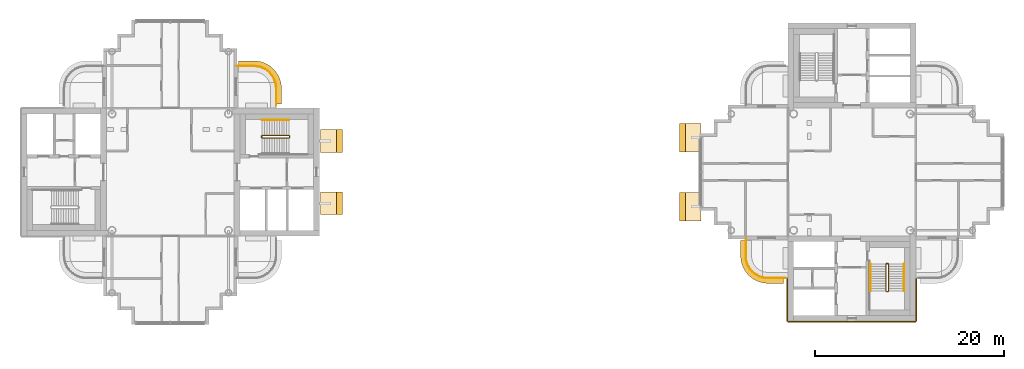
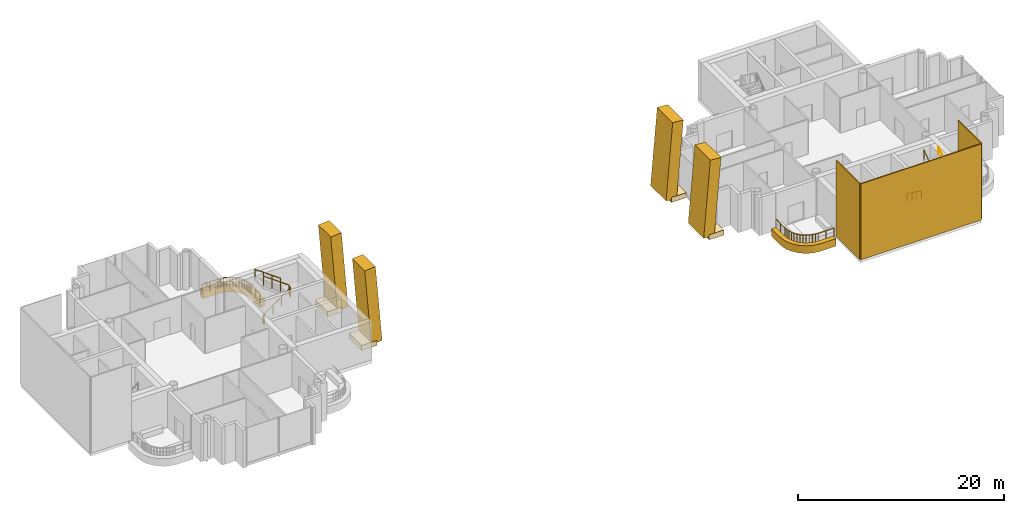
# One storey, part 17 of 19: 13 coverings, 7 railings.
"""IFC4 building model written with IfcOpenShell, lengths in metres."""

from ifc_helpers import new_model, si_unit, direction, frame, origin, origin_2d, place, context, subcontext, project, spatial, polyline, rectangle, circle, outline, extrude, material, layer, layer_set, material_profile, profile_set, type_object, element, save


model = new_model("IFC4")

# Units and contexts
model_context = context("Model", 3, precision=1e-05, world=origin(), true_north=direction((0.0, 1.0)))
body_context = subcontext(model_context, "Body", "Model", "MODEL_VIEW")
ifc_project = project(units=[si_unit("LENGTHUNIT", "METRE"), si_unit("AREAUNIT", "SQUARE_METRE"), si_unit("VOLUMEUNIT", "CUBIC_METRE"), si_unit("PLANEANGLEUNIT", "RADIAN"), si_unit("MASSUNIT", "GRAM", prefix="KILO")], contexts=[model_context])

# Site, building, storey
site_placement = place(None, origin())
site = spatial("IfcSite", under=ifc_project, at=site_placement, CompositionType="ELEMENT")
building_placement = place(site_placement, origin())
building = spatial("IfcBuilding", under=site, at=building_placement, Name="Ipe Terrace Towers", CompositionType="ELEMENT")
storey_placement = place(building_placement, frame((0.0, 0.0, 237.89990234375)))
storey = spatial("IfcBuildingStorey", under=building, at=storey_placement, Name="L66", CompositionType="ELEMENT", Elevation=237.89990234375)

# Railings
ifc_material_1 = material(Name="Stainless steel S316", Category="steel")
railing_type_1 = type_object("IfcRailingType", Name="GUARD 1100", PredefinedType="BALUSTRADE", material=ifc_material_1)
railing_1_placement = place(storey_placement, frame((-24.800048828125, 7.070068359375, -0.02001953125)))
element("IfcRailing", 1, at=railing_1_placement, inside=storey, type_object=railing_type_1, Name="guard", PredefinedType="BALUSTRADE", context=body_context, shape_type="SweptSolid", body=[
    extrude(circle(Radius=0.02392578125, at=origin_2d()), frame((0.0, 0.0, 1.076171875), z_axis=(0.0, 1.0, 0.0), x_axis=(-1.0, 0.0, 0.0)), (0.0, 0.0, 1.0), 1.77783203125),
    extrude(circle(Radius=0.02392578125, at=origin_2d()), frame((0.0, 1.77783203125, 1.076171875), z_axis=(-0.064635492184, 0.99790894031, 0.0), x_axis=(-0.99790894031, -0.064635492184, 0.0)), (0.0, 0.0, 1.0), 0.309814453125),
    extrude(circle(Radius=0.02392578125, at=origin_2d()), frame((-0.02001953125, 2.0869140625, 1.076171875), z_axis=(-0.194892169718, 0.980824674538, 0.0), x_axis=(-0.980824674538, -0.194892169718, 0.0)), (0.0, 0.0, 1.0), 0.306884765625),
    extrude(circle(Radius=0.02392578125, at=origin_2d()), frame((-0.079833984375, 2.387939453125, 1.076171875), z_axis=(-0.322415209212, 0.946598348228, 0.0), x_axis=(-0.946598348228, -0.322415209212, 0.0)), (0.0, 0.0, 1.0), 0.307373046875),
    extrude(circle(Radius=0.02392578125, at=origin_2d()), frame((-0.178955078125, 2.678955078125, 1.076171875), z_axis=(-0.44212629539, 0.896952807524, 0.0), x_axis=(-0.896952807524, -0.44212629539, 0.0)), (0.0, 0.0, 1.0), 0.3076171875),
    extrude(circle(Radius=0.02392578125, at=origin_2d()), frame((-0.31494140625, 2.954833984375, 1.076171875), z_axis=(-0.555066120228, 0.831806228742, 0.0), x_axis=(-0.831806228742, -0.555066120228, 0.0)), (0.0, 0.0, 1.0), 0.307861328125),
    extrude(circle(Radius=0.02392578125, at=origin_2d()), frame((-0.48583984375, 3.2109375, 1.076171875), z_axis=(-0.658617227954, 0.752478137252, 0.0), x_axis=(-0.752478137252, -0.658617227954, 0.0)), (0.0, 0.0, 1.0), 0.306884765625),
    extrude(circle(Radius=0.02392578125, at=origin_2d()), frame((-0.68798828125, 3.44189453125, 1.076171875), z_axis=(-0.752478137252, 0.658617227954, 0.0), x_axis=(-0.658617227954, -0.752478137252, 0.0)), (0.0, 0.0, 1.0), 0.306884765625),
    extrude(circle(Radius=0.02392578125, at=origin_2d()), frame((-0.9189453125, 3.64404296875, 1.076171875), z_axis=(-0.831806228742, 0.555066120228, 0.0), x_axis=(-0.555066120228, -0.831806228742, 0.0)), (0.0, 0.0, 1.0), 0.307861328125),
    extrude(circle(Radius=0.02392578125, at=origin_2d()), frame((-1.175048828125, 3.81494140625, 1.076171875), z_axis=(-0.896952807524, 0.44212629539, 0.0), x_axis=(-0.44212629539, -0.896952807524, 0.0)), (0.0, 0.0, 1.0), 0.3076171875),
    extrude(circle(Radius=0.02392578125, at=origin_2d()), frame((-1.450927734375, 3.950927734375, 1.076171875), z_axis=(-0.946598348228, 0.322415209212, 0.0), x_axis=(-0.322415209212, -0.946598348228, 0.0)), (0.0, 0.0, 1.0), 0.307373046875),
    extrude(circle(Radius=0.02392578125, at=origin_2d()), frame((-1.741943359375, 4.050048828125, 1.076171875), z_axis=(-0.980824674538, 0.194892169718, 0.0), x_axis=(-0.194892169718, -0.980824674538, 0.0)), (0.0, 0.0, 1.0), 0.306884765625),
    extrude(circle(Radius=0.02392578125, at=origin_2d()), frame((-2.04296875, 4.10986328125, 1.076171875), z_axis=(-0.99790894031, 0.064635492184, 0.0), x_axis=(-0.064635492184, -0.99790894031, 0.0)), (0.0, 0.0, 1.0), 0.309814453125),
    extrude(circle(Radius=0.02392578125, at=origin_2d()), frame((-2.35205078125, 4.1298828125, 1.076171875), z_axis=(-1.0, 0.0, 0.0), x_axis=(0.0, -1.0, 0.0)), (0.0, 0.0, 1.0), 1.77783203125),
    extrude(circle(Radius=0.02099609375, at=origin_2d()), origin(), (0.0, 0.0, 1.0), 1.052001953125),
    extrude(circle(Radius=0.02099609375, at=origin_2d()), frame((0.0, 0.888916015625, 0.0)), (0.0, 0.0, 1.0), 1.052001953125),
    extrude(circle(Radius=0.02099609375, at=origin_2d()), frame((0.0, 1.77783203125, 0.0)), (0.0, 0.0, 1.0), 1.052001953125),
    extrude(circle(Radius=0.02099609375, at=origin_2d()), frame((-0.02001953125, 2.0869140625, 0.0)), (0.0, 0.0, 1.0), 1.052001953125),
    extrude(circle(Radius=0.02099609375, at=origin_2d()), frame((-0.079833984375, 2.387939453125, 0.0)), (0.0, 0.0, 1.0), 1.052001953125),
    extrude(circle(Radius=0.02099609375, at=origin_2d()), frame((-0.178955078125, 2.678955078125, 0.0)), (0.0, 0.0, 1.0), 1.052001953125),
    extrude(circle(Radius=0.02099609375, at=origin_2d()), frame((-0.31494140625, 2.954833984375, 0.0)), (0.0, 0.0, 1.0), 1.052001953125),
    extrude(circle(Radius=0.02099609375, at=origin_2d()), frame((-0.48583984375, 3.2109375, 0.0)), (0.0, 0.0, 1.0), 1.052001953125),
    extrude(circle(Radius=0.02099609375, at=origin_2d()), frame((-0.68798828125, 3.44189453125, 0.0)), (0.0, 0.0, 1.0), 1.052001953125),
    extrude(circle(Radius=0.02099609375, at=origin_2d()), frame((-0.9189453125, 3.64404296875, 0.0)), (0.0, 0.0, 1.0), 1.052001953125),
    extrude(circle(Radius=0.02099609375, at=origin_2d()), frame((-1.175048828125, 3.81494140625, 0.0)), (0.0, 0.0, 1.0), 1.052001953125),
    extrude(circle(Radius=0.02099609375, at=origin_2d()), frame((-1.450927734375, 3.950927734375, 0.0)), (0.0, 0.0, 1.0), 1.052001953125),
    extrude(circle(Radius=0.02099609375, at=origin_2d()), frame((-1.741943359375, 4.050048828125, 0.0)), (0.0, 0.0, 1.0), 1.052001953125),
    extrude(circle(Radius=0.02099609375, at=origin_2d()), frame((-2.04296875, 4.10986328125, 0.0)), (0.0, 0.0, 1.0), 1.052001953125),
    extrude(circle(Radius=0.02099609375, at=origin_2d()), frame((-2.35205078125, 4.1298828125, 0.0)), (0.0, 0.0, 1.0), 1.052001953125),
    extrude(circle(Radius=0.02099609375, at=origin_2d()), frame((-3.240966796875, 4.1298828125, 0.0)), (0.0, 0.0, 1.0), 1.052001953125),
    extrude(circle(Radius=0.02099609375, at=origin_2d()), frame((-4.1298828125, 4.1298828125, 0.0)), (0.0, 0.0, 1.0), 1.052001953125),
])
railing_2_placement = place(storey_placement, frame((24.800048828125, -7.070068359375, -0.02001953125)))
element("IfcRailing", 2, at=railing_2_placement, inside=storey, type_object=railing_type_1, Name="guard", PredefinedType="BALUSTRADE", context=body_context, shape_type="SweptSolid", body=[
    extrude(circle(Radius=0.02392578125, at=origin_2d()), frame((0.0, 0.0, 1.076171875), z_axis=(0.0, -1.0, 0.0), x_axis=(1.0, 0.0, 0.0)), (0.0, 0.0, 1.0), 1.77783203125),
    extrude(circle(Radius=0.02392578125, at=origin_2d()), frame((0.0, -1.77783203125, 1.076171875), z_axis=(0.064635492184, -0.99790894031, 0.0), x_axis=(0.99790894031, 0.064635492184, 0.0)), (0.0, 0.0, 1.0), 0.309814453125),
    extrude(circle(Radius=0.02392578125, at=origin_2d()), frame((0.02001953125, -2.0869140625, 1.076171875), z_axis=(0.194892169718, -0.980824674538, 0.0), x_axis=(0.980824674538, 0.194892169718, 0.0)), (0.0, 0.0, 1.0), 0.306884765625),
    extrude(circle(Radius=0.02392578125, at=origin_2d()), frame((0.079833984375, -2.387939453125, 1.076171875), z_axis=(0.322415209212, -0.946598348228, 0.0), x_axis=(0.946598348228, 0.322415209212, 0.0)), (0.0, 0.0, 1.0), 0.307373046875),
    extrude(circle(Radius=0.02392578125, at=origin_2d()), frame((0.178955078125, -2.678955078125, 1.076171875), z_axis=(0.44212629539, -0.896952807524, 0.0), x_axis=(0.896952807524, 0.44212629539, 0.0)), (0.0, 0.0, 1.0), 0.3076171875),
    extrude(circle(Radius=0.02392578125, at=origin_2d()), frame((0.31494140625, -2.954833984375, 1.076171875), z_axis=(0.555066120228, -0.831806228742, 0.0), x_axis=(0.831806228742, 0.555066120228, 0.0)), (0.0, 0.0, 1.0), 0.307861328125),
    extrude(circle(Radius=0.02392578125, at=origin_2d()), frame((0.48583984375, -3.2109375, 1.076171875), z_axis=(0.658617227954, -0.752478137252, 0.0), x_axis=(0.752478137252, 0.658617227954, 0.0)), (0.0, 0.0, 1.0), 0.306884765625),
    extrude(circle(Radius=0.02392578125, at=origin_2d()), frame((0.68798828125, -3.44189453125, 1.076171875), z_axis=(0.752478137252, -0.658617227954, 0.0), x_axis=(0.658617227954, 0.752478137252, 0.0)), (0.0, 0.0, 1.0), 0.306884765625),
    extrude(circle(Radius=0.02392578125, at=origin_2d()), frame((0.9189453125, -3.64404296875, 1.076171875), z_axis=(0.831806228742, -0.555066120228, 0.0), x_axis=(0.555066120228, 0.831806228742, 0.0)), (0.0, 0.0, 1.0), 0.307861328125),
    extrude(circle(Radius=0.02392578125, at=origin_2d()), frame((1.175048828125, -3.81494140625, 1.076171875), z_axis=(0.896952807524, -0.44212629539, 0.0), x_axis=(0.44212629539, 0.896952807524, 0.0)), (0.0, 0.0, 1.0), 0.3076171875),
    extrude(circle(Radius=0.02392578125, at=origin_2d()), frame((1.450927734375, -3.950927734375, 1.076171875), z_axis=(0.946598348228, -0.322415209212, 0.0), x_axis=(0.322415209212, 0.946598348228, 0.0)), (0.0, 0.0, 1.0), 0.307373046875),
    extrude(circle(Radius=0.02392578125, at=origin_2d()), frame((1.741943359375, -4.050048828125, 1.076171875), z_axis=(0.980824674538, -0.194892169718, 0.0), x_axis=(0.194892169718, 0.980824674538, 0.0)), (0.0, 0.0, 1.0), 0.306884765625),
    extrude(circle(Radius=0.02392578125, at=origin_2d()), frame((2.04296875, -4.10986328125, 1.076171875), z_axis=(0.99790894031, -0.064635492184, 0.0), x_axis=(0.064635492184, 0.99790894031, 0.0)), (0.0, 0.0, 1.0), 0.309814453125),
    extrude(circle(Radius=0.02392578125, at=origin_2d()), frame((2.35205078125, -4.1298828125, 1.076171875), z_axis=(1.0, 0.0, 0.0), x_axis=(0.0, 1.0, 0.0)), (0.0, 0.0, 1.0), 1.77783203125),
    extrude(circle(Radius=0.02099609375, at=origin_2d()), origin(), (0.0, 0.0, 1.0), 1.052001953125),
    extrude(circle(Radius=0.02099609375, at=origin_2d()), frame((0.0, -0.888916015625, 0.0)), (0.0, 0.0, 1.0), 1.052001953125),
    extrude(circle(Radius=0.02099609375, at=origin_2d()), frame((0.0, -1.77783203125, 0.0)), (0.0, 0.0, 1.0), 1.052001953125),
    extrude(circle(Radius=0.02099609375, at=origin_2d()), frame((0.02001953125, -2.0869140625, 0.0)), (0.0, 0.0, 1.0), 1.052001953125),
    extrude(circle(Radius=0.02099609375, at=origin_2d()), frame((0.079833984375, -2.387939453125, 0.0)), (0.0, 0.0, 1.0), 1.052001953125),
    extrude(circle(Radius=0.02099609375, at=origin_2d()), frame((0.178955078125, -2.678955078125, 0.0)), (0.0, 0.0, 1.0), 1.052001953125),
    extrude(circle(Radius=0.02099609375, at=origin_2d()), frame((0.31494140625, -2.954833984375, 0.0)), (0.0, 0.0, 1.0), 1.052001953125),
    extrude(circle(Radius=0.02099609375, at=origin_2d()), frame((0.48583984375, -3.2109375, 0.0)), (0.0, 0.0, 1.0), 1.052001953125),
    extrude(circle(Radius=0.02099609375, at=origin_2d()), frame((0.68798828125, -3.44189453125, 0.0)), (0.0, 0.0, 1.0), 1.052001953125),
    extrude(circle(Radius=0.02099609375, at=origin_2d()), frame((0.9189453125, -3.64404296875, 0.0)), (0.0, 0.0, 1.0), 1.052001953125),
    extrude(circle(Radius=0.02099609375, at=origin_2d()), frame((1.175048828125, -3.81494140625, 0.0)), (0.0, 0.0, 1.0), 1.052001953125),
    extrude(circle(Radius=0.02099609375, at=origin_2d()), frame((1.450927734375, -3.950927734375, 0.0)), (0.0, 0.0, 1.0), 1.052001953125),
    extrude(circle(Radius=0.02099609375, at=origin_2d()), frame((1.741943359375, -4.050048828125, 0.0)), (0.0, 0.0, 1.0), 1.052001953125),
    extrude(circle(Radius=0.02099609375, at=origin_2d()), frame((2.04296875, -4.10986328125, 0.0)), (0.0, 0.0, 1.0), 1.052001953125),
    extrude(circle(Radius=0.02099609375, at=origin_2d()), frame((2.35205078125, -4.1298828125, 0.0)), (0.0, 0.0, 1.0), 1.052001953125),
    extrude(circle(Radius=0.02099609375, at=origin_2d()), frame((3.240966796875, -4.1298828125, 0.0)), (0.0, 0.0, 1.0), 1.052001953125),
    extrude(circle(Radius=0.02099609375, at=origin_2d()), frame((4.1298828125, -4.1298828125, 0.0)), (0.0, 0.0, 1.0), 1.052001953125),
])

# Coverings
ifc_material_2 = material(Name="Concrete C50/60 precast, buff finish", Category="concrete")
ifc_layer_1 = layer(ifc_material_2, 0.1201171875)
ifc_layer_set_1 = layer_set([ifc_layer_1], Name="STONE CORE CLADDING 120")
covering_type_1 = type_object("IfcCoveringType", Name="STONE CORE CLADDING 120", PredefinedType="CLADDING", material=ifc_layer_set_1)
covering_1_placement = place(storey_placement, frame((36.0, -15.81005859375, 0.0), z_axis=(0.0, 0.0, 1.0), x_axis=(1.0, 0.0, 0.0)))
element("IfcCovering", 3, at=covering_1_placement, inside=storey, type_object=covering_type_1, Name="stone core cladding", PredefinedType="CLADDING", context=body_context, shape_type="SweptSolid", body=[
    extrude(rectangle(XDim=13.5, YDim=0.1201171875, at=origin_2d()), origin(), (0.0, 0.0, 1.0), 9.0),
])
for number, where, z_axis, x_axis, name in (
    (4, (29.18994140625, -13.5, 0.0), (0.0, 0.0, 1.0), (0.0, -1.0, 0.0), "stone core cladding"),
    (5, (42.81005859375, -13.5, 0.0), (0.0, 0.0, 1.0), (0.0, 1.0, 0.0), "stone core cladding"),
):
    element("IfcCovering", number, at=place(storey_placement, frame(where, z_axis=z_axis, x_axis=x_axis)), inside=storey, type_object=covering_type_1, Name=name, PredefinedType="CLADDING", context=body_context, shape_type="SweptSolid", body=[
        extrude(rectangle(XDim=4.5, YDim=0.1201171875, at=origin_2d()), origin(), (0.0, 0.0, 1.0), 9.0),
    ])
ifc_material_3 = material(Name="Concrete C50/60 precast, buff finish", Category="concrete")
ifc_layer_2 = layer(ifc_material_3, 0.5)
ifc_layer_set_2 = layer_set([ifc_layer_2], Name="STONE EDGE BAND 500 x 900")
covering_type_2 = type_object("IfcCoveringType", Name="STONE EDGE BAND 500 x 900", PredefinedType="CLADDING", material=ifc_layer_set_2)
covering_2_placement = place(storey_placement, frame((0.0, 0.0, -0.719970703125)))
element("IfcCovering", 6, at=covering_2_placement, inside=storey, type_object=covering_type_2, Name="stone edge band", PredefinedType="CLADDING", context=body_context, shape_type="SweptSolid", body=[
    extrude(outline(polyline([(-27.14990234375, 11.75), (-28.800048828125, 11.75), (-28.800048828125, 11.25), (-27.14990234375, 11.25), (-26.8369140625, 11.22900390625), (-26.529052734375, 11.16796875), (-26.23193359375, 11.06689453125), (-25.949951171875, 10.927978515625), (-25.68896484375, 10.75390625), (-25.452880859375, 10.547119140625), (-25.24609375, 10.31103515625), (-25.072021484375, 10.050048828125), (-24.93310546875, 9.76806640625), (-24.83203125, 9.470947265625), (-24.77099609375, 9.1630859375), (-24.75, 8.85009765625), (-24.75, 7.199951171875), (-24.25, 7.199951171875), (-24.25, 8.85009765625), (-24.2509765625, 8.883056640625), (-24.27197265625, 9.196044921875), (-24.280029296875, 9.260986328125), (-24.341064453125, 9.569091796875), (-24.35791015625, 9.632080078125), (-24.458984375, 9.928955078125), (-24.48388671875, 9.989990234375), (-24.623046875, 10.27099609375), (-24.656005859375, 10.327880859375), (-24.830078125, 10.589111328125), (-24.8701171875, 10.64111328125), (-25.076904296875, 10.876953125), (-25.123046875, 10.923095703125), (-25.35888671875, 11.1298828125), (-25.410888671875, 11.169921875), (-25.672119140625, 11.343994140625), (-25.72900390625, 11.376953125), (-26.010009765625, 11.51611328125), (-26.071044921875, 11.541015625), (-26.367919921875, 11.64208984375), (-26.430908203125, 11.658935546875), (-26.739013671875, 11.719970703125), (-26.803955078125, 11.72802734375), (-27.116943359375, 11.7490234375), (-27.14990234375, 11.75)])), origin(), (0.0, 0.0, 1.0), 0.900146484375),
])
covering_3_placement = place(storey_placement, frame((0.0, 0.0, -0.719970703125)))
element("IfcCovering", 7, at=covering_3_placement, inside=storey, type_object=covering_type_2, Name="stone edge band", PredefinedType="CLADDING", context=body_context, shape_type="SweptSolid", body=[
    extrude(outline(polyline([(24.25, -8.85009765625), (24.2509765625, -8.883056640625), (24.27197265625, -9.196044921875), (24.280029296875, -9.260986328125), (24.341064453125, -9.569091796875), (24.35791015625, -9.632080078125), (24.458984375, -9.928955078125), (24.48388671875, -9.989990234375), (24.623046875, -10.27099609375), (24.656005859375, -10.327880859375), (24.830078125, -10.589111328125), (24.8701171875, -10.64111328125), (25.076904296875, -10.876953125), (25.123046875, -10.923095703125), (25.35888671875, -11.1298828125), (25.410888671875, -11.169921875), (25.672119140625, -11.343994140625), (25.72900390625, -11.376953125), (26.010009765625, -11.51611328125), (26.071044921875, -11.541015625), (26.367919921875, -11.64208984375), (26.430908203125, -11.658935546875), (26.739013671875, -11.719970703125), (26.803955078125, -11.72802734375), (27.116943359375, -11.7490234375), (27.14990234375, -11.75), (28.800048828125, -11.75), (28.800048828125, -11.25), (27.14990234375, -11.25), (26.8369140625, -11.22900390625), (26.529052734375, -11.16796875), (26.23193359375, -11.06689453125), (25.949951171875, -10.927978515625), (25.68896484375, -10.75390625), (25.452880859375, -10.547119140625), (25.24609375, -10.31103515625), (25.072021484375, -10.050048828125), (24.93310546875, -9.76806640625), (24.83203125, -9.470947265625), (24.77099609375, -9.1630859375), (24.75, -8.85009765625), (24.75, -7.199951171875), (24.25, -7.199951171875), (24.25, -8.85009765625)])), origin(), (0.0, 0.0, 1.0), 0.900146484375),
])
ifc_material_4 = material(Name="Concrete C50/60 precast, buff finish", Category="concrete")
ifc_material_profile_1 = material_profile(ifc_material_4, rectangle(XDim=2.39990234375, YDim=1.199951171875, at=origin_2d()), Name="STONE FIN 2400 x 1200")
ifc_profile_set_1 = profile_set([ifc_material_profile_1], Name="Concrete C50/60 precast, buff finish")
covering_type_3 = type_object("IfcCoveringType", Name="STONE FIN 2400 x 1200", PredefinedType="USERDEFINED", material=ifc_profile_set_1)
for number, where, z_axis, x_axis, name in (
    (8, (-18.4150390625, -3.300048828125, 0.0), (-0.082589061589, 0.0, 0.996583687859), (0.0, 1.0, 0.0), "stone fin"),
    (9, (-18.4150390625, 3.300048828125, 0.0), (-0.082589061589, 0.0, 0.996583687859), (0.0, 1.0, 0.0), "stone fin"),
):
    element("IfcCovering", number, at=place(storey_placement, frame(where, z_axis=z_axis, x_axis=x_axis)), inside=storey, type_object=covering_type_3, Name=name, ObjectType="FIN", PredefinedType="USERDEFINED", context=body_context, shape_type="SweptSolid", body=[
        extrude(rectangle(XDim=2.39990234375, YDim=1.199951171875, at=origin_2d()), origin(), (0.0, 0.0, 1.0), 9.03076171875),
    ])
ifc_material_5 = material(Name="Concrete C50/60 precast, buff finish", Category="concrete")
ifc_material_profile_2 = material_profile(ifc_material_5, rectangle(XDim=3.0, YDim=1.199951171875, at=origin_2d()), Name="STONE FIN CORNER 3000 x 1200")
ifc_profile_set_2 = profile_set([ifc_material_profile_2], Name="Concrete C50/60 precast, buff finish")
covering_type_4 = type_object("IfcCoveringType", Name="STONE FIN CORNER 3000 x 1200", PredefinedType="USERDEFINED", material=ifc_profile_set_2)
for number, where, z_axis, x_axis, name in (
    (10, (18.4150390625, -3.64990234375, 0.0), (0.082589061589, 0.0, 0.996583687859), (0.0, -1.0, 0.0), "stone fin"),
    (11, (18.4150390625, 3.64990234375, 0.0), (0.082589061589, 0.0, 0.996583687859), (0.0, -1.0, 0.0), "stone fin"),
):
    element("IfcCovering", number, at=place(storey_placement, frame(where, z_axis=z_axis, x_axis=x_axis)), inside=storey, type_object=covering_type_4, Name=name, ObjectType="FIN", PredefinedType="USERDEFINED", context=body_context, shape_type="SweptSolid", body=[
        extrude(rectangle(XDim=3.0, YDim=1.199951171875, at=origin_2d()), origin(), (0.0, 0.0, 1.0), 9.03076171875),
    ])
ifc_material_6 = material(Name="Concrete C50/60 precast, buff finish", Category="concrete")
covering_type_5 = type_object("IfcCoveringType", Name="STONE FIN SHELF 2400 x 600", PredefinedType="CLADDING", material=ifc_material_6)
for number, where, z_axis, x_axis, name in (
    (12, (-19.277099609375, -3.300048828125, -0.349853515625), (0.0, 0.0, 1.0), (0.0, 1.0, 0.0), "stone fin shelf"),
    (13, (-19.277099609375, 3.300048828125, -0.349853515625), (0.0, 0.0, 1.0), (0.0, 1.0, 0.0), "stone fin shelf"),
):
    element("IfcCovering", number, at=place(storey_placement, frame(where, z_axis=z_axis, x_axis=x_axis)), inside=storey, type_object=covering_type_5, Name=name, PredefinedType="CLADDING", context=body_context, shape_type="SweptSolid", body=[
        extrude(rectangle(XDim=2.39990234375, YDim=1.72509765625, at=origin_2d()), origin(), (0.0, 0.0, 1.0), 0.60009765625),
    ])
ifc_material_7 = material(Name="Concrete C50/60 precast, buff finish", Category="concrete")
covering_type_6 = type_object("IfcCoveringType", Name="STONE FIN SHELF 3000 x 600", PredefinedType="CLADDING", material=ifc_material_7)
for number, where, z_axis, x_axis, name in (
    (14, (19.25, -3.64990234375, -0.349853515625), (0.0, 0.0, 1.0), (0.0, -1.0, 0.0), "stone fin shelf"),
    (15, (19.25, 3.64990234375, -0.349853515625), (0.0, 0.0, 1.0), (0.0, -1.0, 0.0), "stone fin shelf"),
):
    element("IfcCovering", number, at=place(storey_placement, frame(where, z_axis=z_axis, x_axis=x_axis)), inside=storey, type_object=covering_type_6, Name=name, PredefinedType="CLADDING", context=body_context, shape_type="SweptSolid", body=[
        extrude(rectangle(XDim=3.0, YDim=1.6689453125, at=origin_2d()), origin(), (0.0, 0.0, 1.0), 0.60009765625),
    ])

# Railings
ifc_material_8 = material(Name="Steel S355", Category="steel")
railing_type_2 = type_object("IfcRailingType", Name="Stair guard 1100", PredefinedType="GUARDRAIL", material=ifc_material_8)
railing_3_placement = place(storey_placement, frame((-26.35009765625, 3.800048828125, 0.0)))
element("IfcRailing", 16, at=railing_3_placement, inside=storey, type_object=railing_type_2, Name="L66 T1-ST1 stair guard 1", PredefinedType="GUARDRAIL", context=body_context, shape_type="SweptSolid", body=[
    extrude(circle(Radius=0.02392578125, at=origin_2d()), frame((0.0, 0.0, 1.076171875), z_axis=(0.0, -1.0, 0.0), x_axis=(1.0, 0.0, 0.0)), (0.0, 0.0, 1.0), 0.150146484375),
    extrude(circle(Radius=0.02392578125, at=origin_2d()), frame((0.0, -0.150146484375, 1.076171875), z_axis=(0.249802250048, -0.248583702486, 0.935844527007), x_axis=(0.705375805398, 0.708833529934, 0.0)), (0.0, 0.0, 1.0), 0.200439453125),
    extrude(circle(Radius=0.02392578125, at=origin_2d()), frame((0.050048828125, -0.199951171875, 1.263671875), z_axis=(0.811100754333, 0.0, 0.584906459462), x_axis=(0.0, 1.0, 0.0)), (0.0, 0.0, 1.0), 3.526123046875),
    extrude(circle(Radius=0.02392578125, at=origin_2d()), frame((2.91015625, -0.199951171875, 3.326171875), z_axis=(0.708833529934, 0.705375805398, 0.0), x_axis=(-0.705375805398, 0.708833529934, 0.0)), (0.0, 0.0, 1.0), 0.070556640625),
    extrude(circle(Radius=0.02392578125, at=origin_2d()), frame((2.960205078125, -0.150146484375, 3.326171875), z_axis=(0.0, 1.0, 0.0), x_axis=(-1.0, 0.0, 0.0)), (0.0, 0.0, 1.0), 0.150146484375),
    extrude(circle(Radius=0.02392578125, at=origin_2d()), frame((2.960205078125, 0.0, 3.326171875), z_axis=(-0.249726431254, 0.249726431254, 0.935560483917), x_axis=(-0.707106781187, -0.707106781187, 0.0)), (0.0, 0.0, 1.0), 0.200439453125),
    extrude(circle(Radius=0.02392578125, at=origin_2d()), frame((2.91015625, 0.050048828125, 3.513671875), z_axis=(-0.811100754333, 0.0, 0.584906459462), x_axis=(0.0, -1.0, 0.0)), (0.0, 0.0, 1.0), 3.526123046875),
    extrude(circle(Radius=0.02099609375, at=origin_2d()), origin(), (0.0, 0.0, 1.0), 1.052001953125),
    extrude(circle(Radius=0.02099609375, at=origin_2d()), frame((0.0, -0.150146484375, 0.0)), (0.0, 0.0, 1.0), 1.052001953125),
    extrude(circle(Radius=0.02099609375, at=origin_2d()), frame((0.050048828125, -0.199951171875, 0.1875)), (0.0, 0.0, 1.0), 1.052001953125),
    extrude(circle(Radius=0.02099609375, at=origin_2d()), frame((1.00341796875, -0.199951171875, 0.875)), (0.0, 0.0, 1.0), 1.052001953125),
    extrude(circle(Radius=0.02099609375, at=origin_2d()), frame((1.956787109375, -0.199951171875, 1.5625)), (0.0, 0.0, 1.0), 1.052001953125),
    extrude(circle(Radius=0.02099609375, at=origin_2d()), frame((2.91015625, -0.199951171875, 2.25)), (0.0, 0.0, 1.0), 1.052001953125),
    extrude(circle(Radius=0.02099609375, at=origin_2d()), frame((2.960205078125, -0.150146484375, 2.25)), (0.0, 0.0, 1.0), 1.052001953125),
    extrude(circle(Radius=0.02099609375, at=origin_2d()), frame((2.960205078125, 0.0, 2.25)), (0.0, 0.0, 1.0), 1.052001953125),
    extrude(circle(Radius=0.02099609375, at=origin_2d()), frame((2.91015625, 0.050048828125, 2.4375)), (0.0, 0.0, 1.0), 1.052001953125),
    extrude(circle(Radius=0.02099609375, at=origin_2d()), frame((1.956787109375, 0.050048828125, 3.125)), (0.0, 0.0, 1.0), 1.052001953125),
    extrude(circle(Radius=0.02099609375, at=origin_2d()), frame((1.00341796875, 0.050048828125, 3.8125)), (0.0, 0.0, 1.0), 1.052001953125),
    extrude(circle(Radius=0.02099609375, at=origin_2d()), frame((0.050048828125, 0.050048828125, 4.5)), (0.0, 0.0, 1.0), 1.052001953125),
])
railing_4_placement = place(storey_placement, frame((39.800048828125, -9.64990234375, 0.0)))
element("IfcRailing", 17, at=railing_4_placement, inside=storey, type_object=railing_type_2, Name="L66 T2-ST2 stair guard 1", PredefinedType="GUARDRAIL", context=body_context, shape_type="SweptSolid", body=[
    extrude(circle(Radius=0.02392578125, at=origin_2d()), frame((0.0, 0.0, 1.076171875), z_axis=(-1.0, 0.0, 0.0), x_axis=(0.0, -1.0, 0.0)), (0.0, 0.0, 1.0), 0.150146484375),
    extrude(circle(Radius=0.02392578125, at=origin_2d()), frame((-0.150146484375, 0.0, 1.076171875), z_axis=(-0.248583702486, -0.249802250048, 0.935844527007), x_axis=(0.708833529934, -0.705375805398, 0.0)), (0.0, 0.0, 1.0), 0.200439453125),
    extrude(circle(Radius=0.02392578125, at=origin_2d()), frame((-0.199951171875, -0.050048828125, 1.263671875), z_axis=(0.0, -0.811100754333, 0.584906459462), x_axis=(1.0, 0.0, 0.0)), (0.0, 0.0, 1.0), 3.526123046875),
    extrude(circle(Radius=0.02392578125, at=origin_2d()), frame((-0.199951171875, -2.91015625, 3.326171875), z_axis=(0.705375805398, -0.708833529934, 0.0), x_axis=(0.708833529934, 0.705375805398, 0.0)), (0.0, 0.0, 1.0), 0.070556640625),
    extrude(circle(Radius=0.02392578125, at=origin_2d()), frame((-0.150146484375, -2.960205078125, 3.326171875), z_axis=(1.0, 0.0, 0.0), x_axis=(0.0, 1.0, 0.0)), (0.0, 0.0, 1.0), 0.150146484375),
    extrude(circle(Radius=0.02392578125, at=origin_2d()), frame((0.0, -2.960205078125, 3.326171875), z_axis=(0.249726431254, 0.249726431254, 0.935560483917), x_axis=(-0.707106781187, 0.707106781187, 0.0)), (0.0, 0.0, 1.0), 0.200439453125),
    extrude(circle(Radius=0.02392578125, at=origin_2d()), frame((0.050048828125, -2.91015625, 3.513671875), z_axis=(0.0, 0.811100754333, 0.584906459462), x_axis=(-1.0, 0.0, 0.0)), (0.0, 0.0, 1.0), 3.526123046875),
    extrude(circle(Radius=0.02099609375, at=origin_2d()), origin(), (0.0, 0.0, 1.0), 1.052001953125),
    extrude(circle(Radius=0.02099609375, at=origin_2d()), frame((-0.150146484375, 0.0, 0.0)), (0.0, 0.0, 1.0), 1.052001953125),
    extrude(circle(Radius=0.02099609375, at=origin_2d()), frame((-0.199951171875, -0.050048828125, 0.1875)), (0.0, 0.0, 1.0), 1.052001953125),
    extrude(circle(Radius=0.02099609375, at=origin_2d()), frame((-0.199951171875, -1.00341796875, 0.875)), (0.0, 0.0, 1.0), 1.052001953125),
    extrude(circle(Radius=0.02099609375, at=origin_2d()), frame((-0.199951171875, -1.956787109375, 1.5625)), (0.0, 0.0, 1.0), 1.052001953125),
    extrude(circle(Radius=0.02099609375, at=origin_2d()), frame((-0.199951171875, -2.91015625, 2.25)), (0.0, 0.0, 1.0), 1.052001953125),
    extrude(circle(Radius=0.02099609375, at=origin_2d()), frame((-0.150146484375, -2.960205078125, 2.25)), (0.0, 0.0, 1.0), 1.052001953125),
    extrude(circle(Radius=0.02099609375, at=origin_2d()), frame((0.0, -2.960205078125, 2.25)), (0.0, 0.0, 1.0), 1.052001953125),
    extrude(circle(Radius=0.02099609375, at=origin_2d()), frame((0.050048828125, -2.91015625, 2.4375)), (0.0, 0.0, 1.0), 1.052001953125),
    extrude(circle(Radius=0.02099609375, at=origin_2d()), frame((0.050048828125, -1.956787109375, 3.125)), (0.0, 0.0, 1.0), 1.052001953125),
    extrude(circle(Radius=0.02099609375, at=origin_2d()), frame((0.050048828125, -1.00341796875, 3.8125)), (0.0, 0.0, 1.0), 1.052001953125),
    extrude(circle(Radius=0.02099609375, at=origin_2d()), frame((0.050048828125, -0.050048828125, 4.5)), (0.0, 0.0, 1.0), 1.052001953125),
])
ifc_material_9 = material(Name="Stainless steel grade 304", Category="steel")
railing_type_3 = type_object("IfcRailingType", Name="Stair handrail 900", PredefinedType="HANDRAIL", material=ifc_material_9)
railing_5_placement = place(storey_placement, frame((-23.43994140625, 5.5, 2.4375)))
element("IfcRailing", 18, at=railing_5_placement, inside=storey, type_object=railing_type_3, Name="L66 T1-ST1 stair handrail 2", PredefinedType="HANDRAIL", context=body_context, shape_type="SweptSolid", body=[
    extrude(circle(Radius=0.02392578125, at=origin_2d()), frame((0.0, 0.0, 0.8759765625), z_axis=(-0.811100754333, 0.0, 0.584906459462), x_axis=(0.0, -1.0, 0.0)), (0.0, 0.0, 1.0), 3.526123046875),
    extrude(circle(Radius=0.02099609375, at=origin_2d()), origin(), (0.0, 0.0, 1.0), 0.851806640625),
    extrude(circle(Radius=0.02099609375, at=origin_2d()), frame((-0.953369140625, 0.0, 0.6875)), (0.0, 0.0, 1.0), 0.851806640625),
    extrude(circle(Radius=0.02099609375, at=origin_2d()), frame((-1.90673828125, 0.0, 1.375)), (0.0, 0.0, 1.0), 0.851806640625),
    extrude(circle(Radius=0.02099609375, at=origin_2d()), frame((-2.860107421875, 0.0, 2.0625)), (0.0, 0.0, 1.0), 0.851806640625),
])
railing_6_placement = place(storey_placement, frame((37.949951171875, -9.699951171875, 0.1875)))
element("IfcRailing", 19, at=railing_6_placement, inside=storey, type_object=railing_type_3, Name="L66 T2-ST2 stair handrail 1", PredefinedType="HANDRAIL", context=body_context, shape_type="SweptSolid", body=[
    extrude(circle(Radius=0.02392578125, at=origin_2d()), frame((0.0, 0.0, 0.8759765625), z_axis=(0.0, -0.811100754333, 0.584906459462), x_axis=(1.0, 0.0, 0.0)), (0.0, 0.0, 1.0), 3.526123046875),
    extrude(circle(Radius=0.02099609375, at=origin_2d()), origin(), (0.0, 0.0, 1.0), 0.851806640625),
    extrude(circle(Radius=0.02099609375, at=origin_2d()), frame((0.0, -0.953369140625, 0.6875)), (0.0, 0.0, 1.0), 0.851806640625),
    extrude(circle(Radius=0.02099609375, at=origin_2d()), frame((0.0, -1.90673828125, 1.375)), (0.0, 0.0, 1.0), 0.851806640625),
    extrude(circle(Radius=0.02099609375, at=origin_2d()), frame((0.0, -2.860107421875, 2.0625)), (0.0, 0.0, 1.0), 0.851806640625),
])
railing_7_placement = place(storey_placement, frame((41.5, -12.56005859375, 2.4375)))
element("IfcRailing", 20, at=railing_7_placement, inside=storey, type_object=railing_type_3, Name="L66 T2-ST2 stair handrail 2", PredefinedType="HANDRAIL", context=body_context, shape_type="SweptSolid", body=[
    extrude(circle(Radius=0.02392578125, at=origin_2d()), frame((0.0, 0.0, 0.8759765625), z_axis=(0.0, 0.811100754333, 0.584906459462), x_axis=(-1.0, 0.0, 0.0)), (0.0, 0.0, 1.0), 3.526123046875),
    extrude(circle(Radius=0.02099609375, at=origin_2d()), origin(), (0.0, 0.0, 1.0), 0.851806640625),
    extrude(circle(Radius=0.02099609375, at=origin_2d()), frame((0.0, 0.953369140625, 0.6875)), (0.0, 0.0, 1.0), 0.851806640625),
    extrude(circle(Radius=0.02099609375, at=origin_2d()), frame((0.0, 1.90673828125, 1.375)), (0.0, 0.0, 1.0), 0.851806640625),
    extrude(circle(Radius=0.02099609375, at=origin_2d()), frame((0.0, 2.860107421875, 2.0625)), (0.0, 0.0, 1.0), 0.851806640625),
])

save(model, "model.ifc")
